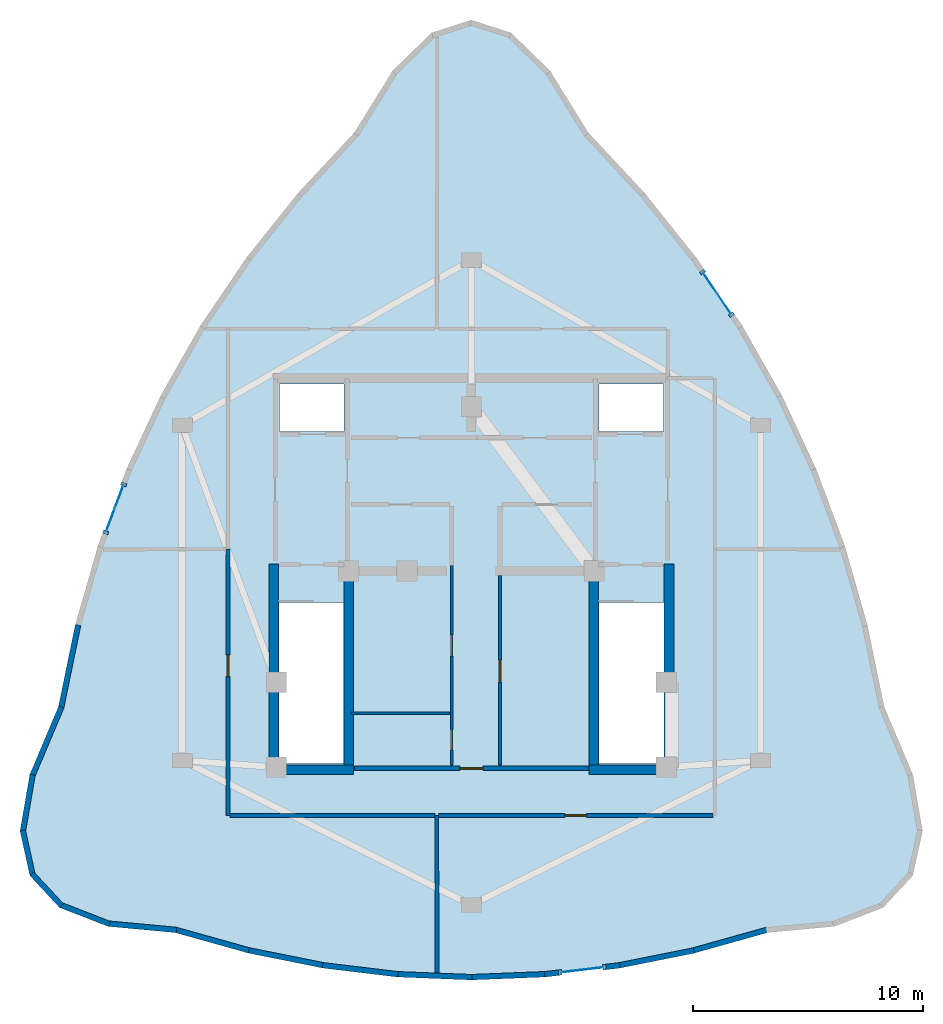
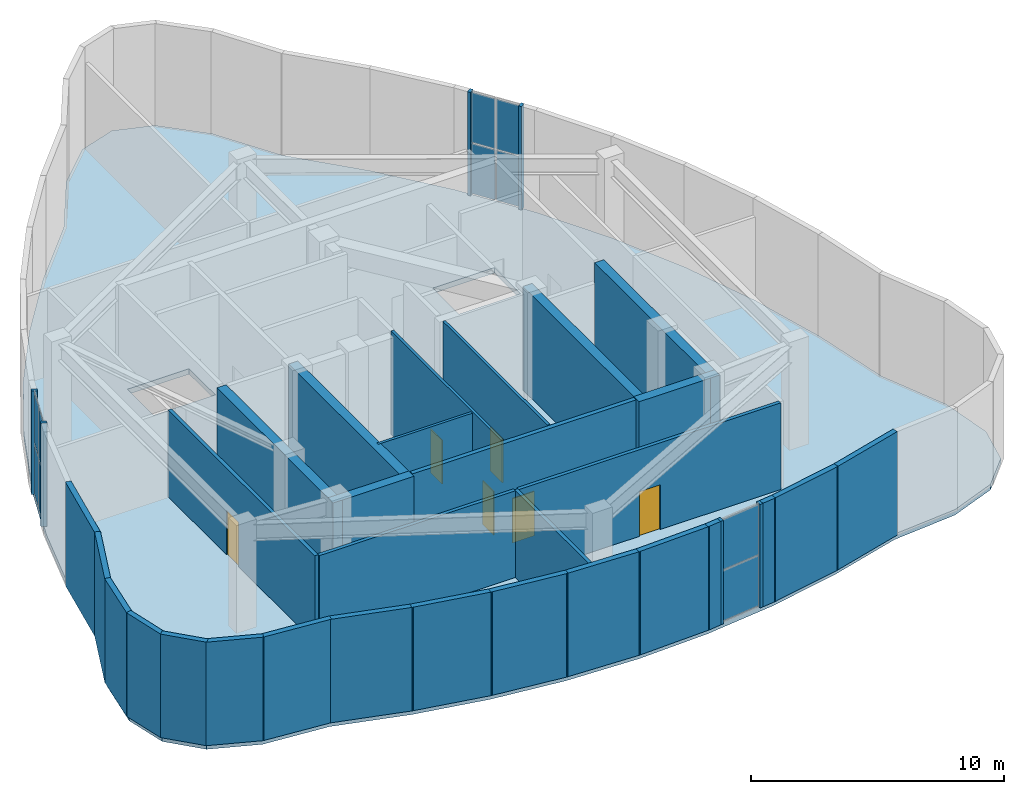
# One storey, part 9 of 12: 30 walls, 16 plates, 6 doors, 1 slab, 6 openings, 3 elements without a shape of their own.
"""IFC4 building model written with IfcOpenShell, lengths in metres."""

import ifcopenshell
import ifcopenshell.guid

model = None  # the IFC model being written
_history = None  # IfcOwnerHistory: only IFC2X3 demands one
_inside = {}  # id of a spatial element -> (the spatial element, [elements in it])
_under = {}  # id of a project, library or spatial element -> (it, [spatial elements below it])
_declared = {}  # id of a project -> (the project, [libraries it declares])
_typed = {}  # id of a type object -> (the type object, [elements of that type])
_made_of = {}  # id of a material, layer set ... -> (it, [elements and type objects made of it])


def new_model(schema):
    """Start an empty IFC model of exactly this schema.

    Asked for "IFC4X3", IfcOpenShell would pick the latest addendum, in which some entities
    have other attributes; the version numbers below select the first issue.
    IFC2X3 requires an IfcOwnerHistory on every rooted entity: one is made here for all.
    """
    global model, _history
    if schema == "IFC4X3":
        model = ifcopenshell.file(schema_version=(4, 3, 0, 0))
    else:
        model = ifcopenshell.file(schema=schema)
    _inside.clear()
    _under.clear()
    _declared.clear()
    _typed.clear()
    _made_of.clear()
    _history = None
    if model.schema == "IFC2X3":
        org = make("IfcOrganization", Name="unknown")
        user = make(
            "IfcPersonAndOrganization",
            ThePerson=make("IfcPerson", FamilyName="unknown"),
            TheOrganization=org,
        )
        app = make(
            "IfcApplication",
            ApplicationDeveloper=org,
            Version="unknown",
            ApplicationFullName="unknown",
            ApplicationIdentifier="unknown",
        )
        _history = make(
            "IfcOwnerHistory",
            OwningUser=user,
            OwningApplication=app,
            ChangeAction="ADDED",
            CreationDate=0,
        )
    return model


def make(cls, **values):
    """One entity of the class cls with the attributes given. An attribute that is None is left unset."""
    return model.create_entity(
        cls, **{name: value for name, value in values.items() if value is not None}
    )


def rooted(cls, **values):
    """An entity with a GlobalId (a new one), such as an element, a storey or a relation."""
    return make(cls, GlobalId=ifcopenshell.guid.new(), OwnerHistory=_history, **values)


def si_unit(unit_type, name, prefix=None):
    """IfcSIUnit, for example si_unit("LENGTHUNIT", "METRE", prefix="MILLI")."""
    return make("IfcSIUnit", UnitType=unit_type, Prefix=prefix, Name=name)


def assignment(units):
    """IfcUnitAssignment: the units of a project."""
    return None if units is None else make("IfcUnitAssignment", Units=units)


def point(xyz):
    """IfcCartesianPoint."""
    return None if xyz is None else make("IfcCartesianPoint", Coordinates=xyz)


def direction(xyz):
    """IfcDirection."""
    return None if xyz is None else make("IfcDirection", DirectionRatios=xyz)


def frame(location, z_axis=None, x_axis=None):
    """IfcAxis2Placement3D, a coordinate frame: its origin and axes. An axis left out is left unset."""
    return make(
        "IfcAxis2Placement3D",
        Location=point(location),
        Axis=direction(z_axis),
        RefDirection=direction(x_axis),
    )


def frame_2d(location, x_axis=None):
    """IfcAxis2Placement2D, a coordinate frame in the plane: its origin and x axis."""
    return make(
        "IfcAxis2Placement2D", Location=point(location), RefDirection=direction(x_axis)
    )


def origin():
    """The frame at (0, 0, 0) with its axes left unset."""
    return frame((0.0, 0.0, 0.0))


def origin_2d():
    """The frame at (0, 0) in the plane with its x axis left unset."""
    return frame_2d((0.0, 0.0))


def place(relative_to, where):
    """IfcLocalPlacement: puts the frame where relative to a parent placement (None: the world)."""
    return make(
        "IfcLocalPlacement", PlacementRelTo=relative_to, RelativePlacement=where
    )


def context(
    kind, dimensions, precision=None, world=None, true_north=None, identifier=None
):
    """IfcGeometricRepresentationContext, for example the 3D "Model" context."""
    return make(
        "IfcGeometricRepresentationContext",
        ContextIdentifier=identifier,
        ContextType=kind,
        CoordinateSpaceDimension=dimensions,
        Precision=precision,
        WorldCoordinateSystem=world,
        TrueNorth=true_north,
    )


def subcontext(parent, identifier, kind, view, scale=None):
    """IfcGeometricRepresentationSubContext, for example "Body" below "Model"."""
    return make(
        "IfcGeometricRepresentationSubContext",
        ContextIdentifier=identifier,
        ContextType=kind,
        ParentContext=parent,
        TargetScale=scale,
        TargetView=view,
    )


def project(units=None, contexts=None):
    """IfcProject with its units and contexts."""
    return rooted(
        "IfcProject",
        Name="project",
        RepresentationContexts=contexts,
        UnitsInContext=assignment(units),
    )


def spatial(cls, under=None, at=None, **own):
    """A site, building, storey or space (cls), placed at a placement, below another one or the project."""
    s = rooted(cls, ObjectPlacement=at, **own)
    if under is not None:
        _under.setdefault(under.id(), (under, []))[1].append(s)
    return s


def polyline(points):
    """IfcPolyline through the points."""
    return make("IfcPolyline", Points=[point(p) for p in points])


def profile(cls, at=None, kind="AREA", **sizes):
    """A parametric profile (cls). Its sizes go by their IFC names, for example OverallWidth=200.0."""
    return make(cls, ProfileType=kind, Position=at, **sizes)


def rectangle(**sizes):
    """IfcRectangleProfileDef."""
    return profile("IfcRectangleProfileDef", **sizes)


def outline(outer, holes=None, kind="AREA"):
    """IfcArbitraryClosedProfileDef: a profile drawn as a closed curve; with holes, ...WithVoids."""
    if holes is None:
        return make("IfcArbitraryClosedProfileDef", ProfileType=kind, OuterCurve=outer)
    return make(
        "IfcArbitraryProfileDefWithVoids",
        ProfileType=kind,
        OuterCurve=outer,
        InnerCurves=holes,
    )


def extrude(swept, where, along, depth):
    """IfcExtrudedAreaSolid: the profile swept, set in the frame where, extruded along a direction by depth."""
    return make(
        "IfcExtrudedAreaSolid",
        SweptArea=swept,
        Position=where,
        ExtrudedDirection=direction(along),
        Depth=depth,
    )


def shape(context_of_items, identifier, shape_type, items):
    """IfcShapeRepresentation: the items that make up one representation, for example the "Body"."""
    return make(
        "IfcShapeRepresentation",
        ContextOfItems=context_of_items,
        RepresentationIdentifier=identifier,
        RepresentationType=shape_type,
        Items=items,
    )


def material(Name=None, Category=None):
    """IfcMaterial."""
    return make("IfcMaterial", Name=Name, Category=Category)


def layer(
    of_material, thickness, ventilated=None, Name=None, Category=None, Priority=None
):
    """IfcMaterialLayer: one layer of a wall or slab, of a material (None: an air gap)."""
    return make(
        "IfcMaterialLayer",
        Material=of_material,
        LayerThickness=thickness,
        IsVentilated=ventilated,
        Name=Name,
        Category=Category,
        Priority=Priority,
    )


def layer_set(layers, Name=None):
    """IfcMaterialLayerSet."""
    return make("IfcMaterialLayerSet", MaterialLayers=layers, LayerSetName=Name)


def made_of(thing, what):
    """Note that an element or type object is made of a material, layer set ...; save() writes the relation."""
    if what is not None:
        _made_of.setdefault(what.id(), (what, []))[1].append(thing)
    return thing


def type_object(cls, material=None, **own):
    """A type object (cls), such as IfcWallType, which elements share."""
    return made_of(rooted(cls, **own), material)


def element(
    cls,
    number,
    at=None,
    inside=None,
    cuts=None,
    type_object=None,
    material=None,
    context=None,
    identifier="Body",
    shape_type=None,
    held_by="IfcProductDefinitionShape",
    body=None,
    shapes=None,
    **own,
):
    """One element of the class cls, such as IfcWall. Its Tag is "e" and its number.

    at: its placement. inside: the storey or other place that contains it. cuts: it is an
    opening in that element (IfcRelVoidsElement). A single representation is given by context,
    identifier, shape_type and body (its items); several are given by shapes. held_by: the class
    of the entity that holds the representations. save() writes the other relations.
    """
    e = rooted(cls, Tag="e%d" % number, ObjectPlacement=at, **own)
    if body is not None:
        shapes = [shape(context, identifier, shape_type, body)]
    if shapes is not None:
        e.Representation = make(held_by, Representations=shapes)
    if inside is not None:
        _inside.setdefault(inside.id(), (inside, []))[1].append(e)
    if cuts is not None:
        rooted(
            "IfcRelVoidsElement", RelatingBuildingElement=cuts, RelatedOpeningElement=e
        )
    if type_object is not None:
        _typed.setdefault(type_object.id(), (type_object, []))[1].append(e)
    return made_of(e, material)


def fill(opening, filler):
    """IfcRelFillsElement: the door or window that sits in an opening."""
    return rooted(
        "IfcRelFillsElement",
        RelatingOpeningElement=opening,
        RelatedBuildingElement=filler,
    )


def aggregate(whole, parts):
    """IfcRelAggregates: a whole, such as a stair, and the parts it consists of."""
    return rooted("IfcRelAggregates", RelatingObject=whole, RelatedObjects=parts)


def save(model, path):
    """Write the relations noted so far, then the file.

    IfcRelAggregates (storeys below a building ...), IfcRelContainedInSpatialStructure (elements
    in a storey), IfcRelDefinesByType, IfcRelAssociatesMaterial and IfcRelDeclares: one each for
    every whole, place, type object, material and project.
    """
    for whole, parts in _under.values():
        aggregate(whole, parts)
    for where, things in _inside.values():
        rooted(
            "IfcRelContainedInSpatialStructure",
            RelatedElements=things,
            RelatingStructure=where,
        )
    for kind, things in _typed.values():
        rooted("IfcRelDefinesByType", RelatedObjects=things, RelatingType=kind)
    for what, things in _made_of.values():
        rooted("IfcRelAssociatesMaterial", RelatedObjects=things, RelatingMaterial=what)
    for by, libraries in _declared.values():
        rooted("IfcRelDeclares", RelatingContext=by, RelatedDefinitions=libraries)
    model.write(path)


model = new_model("IFC4")

# Units and contexts
model_context = context("Model", 3, precision=1e-05, world=origin(), true_north=direction((0.0, 1.0)))
body_context = subcontext(model_context, "Body", "Model", "MODEL_VIEW")
ifc_project = project(units=[si_unit("LENGTHUNIT", "METRE"), si_unit("AREAUNIT", "SQUARE_METRE"), si_unit("VOLUMEUNIT", "CUBIC_METRE"), si_unit("PLANEANGLEUNIT", "RADIAN"), si_unit("MASSUNIT", "GRAM", prefix="KILO")], contexts=[model_context])

# Site, building, storey
site_placement = place(None, origin())
site = spatial("IfcSite", under=ifc_project, at=site_placement, CompositionType="ELEMENT")
building_placement = place(site_placement, origin())
building = spatial("IfcBuilding", under=site, at=building_placement, Name="Miruveldt Soraemaru", CompositionType="ELEMENT")
storey_placement = place(building_placement, frame((0.0, 0.0, 312.800048828125)))
storey = spatial("IfcBuildingStorey", under=building, at=storey_placement, Name="L82", CompositionType="ELEMENT", Elevation=312.800048828125)

# Curtain wall, plates
ifc_material_1 = material(Name="Anodised aluminium EN AW-6063 T6", Category="aluminium")
ifc_layer_1 = layer(ifc_material_1, 0.14990234375, Name="Anodised aluminium EN AW-6063 T6", Category="aluminium")
ifc_layer_set_1 = layer_set([ifc_layer_1], Name="Anodised aluminium EN AW-6063 T6")
curtain_wall_type = type_object("IfcCurtainWallType", Name="CW-SYS-6", PredefinedType="USERDEFINED", material=ifc_layer_set_1)
curtain_wall_1_placement = place(storey_placement, origin())
curtain_wall_1 = element("IfcCurtainWall", 1, at=curtain_wall_1_placement, inside=storey, type_object=curtain_wall_type, Name="L82 Curtain Wall Bay 12", ObjectType="UNITISED GLAZING", PredefinedType="USERDEFINED")
ifc_material_2 = material(Name="Triple low-e insulated glazing", Category="glass")
ifc_layer_2 = layer(ifc_material_2, 0.02392578125, Name="Triple low-e insulated glazing", Category="glass")
ifc_layer_set_2 = layer_set([ifc_layer_2], Name="Triple low-e insulated glazing")
plate_type_1 = type_object("IfcPlateType", Name="CWP-6", PredefinedType="CURTAIN_PANEL", material=ifc_layer_set_2)
plate_1_placement = place(storey_placement, frame((28.6572265625, 47.2880859375, 0.054931640625), z_axis=(0.0, 0.0, 1.0), x_axis=(-0.348998282518, -0.937123363704, 0.0)))
plate_1 = element("IfcPlate", 2, at=plate_1_placement, type_object=plate_type_1, Name="CW-6 panel 1.1", PredefinedType="CURTAIN_PANEL", context=body_context, shape_type="SweptSolid", body=[
    extrude(rectangle(XDim=1.037109375, YDim=0.02392578125, at=origin_2d()), origin(), (0.0, 0.0, 1.0), 2.41259765625),
])
plate_2_placement = place(storey_placement, frame((28.6572265625, 47.2880859375, 2.5224609375), z_axis=(0.0, 0.0, 1.0), x_axis=(-0.348998282518, -0.937123363704, 0.0)))
plate_2 = element("IfcPlate", 3, at=plate_2_placement, type_object=plate_type_1, Name="CW-6 panel 1.2", PredefinedType="CURTAIN_PANEL", context=body_context, shape_type="SweptSolid", body=[
    extrude(rectangle(XDim=1.037109375, YDim=0.02392578125, at=origin_2d()), origin(), (0.0, 0.0, 1.0), 2.41259765625),
])
plate_3_placement = place(storey_placement, frame((28.276123046875, 46.2646484375, 0.054931640625), z_axis=(0.0, 0.0, 1.0), x_axis=(-0.348998282518, -0.937123363704, 0.0)))
plate_3 = element("IfcPlate", 4, at=plate_3_placement, type_object=plate_type_1, Name="CW-6 panel 2.1", PredefinedType="CURTAIN_PANEL", context=body_context, shape_type="SweptSolid", body=[
    extrude(rectangle(XDim=1.037109375, YDim=0.02392578125, at=origin_2d()), origin(), (0.0, 0.0, 1.0), 2.41259765625),
])
plate_4_placement = place(storey_placement, frame((28.276123046875, 46.2646484375, 2.5224609375), z_axis=(0.0, 0.0, 1.0), x_axis=(-0.348998282518, -0.937123363704, 0.0)))
plate_4 = element("IfcPlate", 5, at=plate_4_placement, type_object=plate_type_1, Name="CW-6 panel 2.2", PredefinedType="CURTAIN_PANEL", context=body_context, shape_type="SweptSolid", body=[
    extrude(rectangle(XDim=1.037109375, YDim=0.02392578125, at=origin_2d()), origin(), (0.0, 0.0, 1.0), 2.41259765625),
])
aggregate(curtain_wall_1, [plate_1, plate_2, plate_3, plate_4])

curtain_wall_2_placement = place(storey_placement, origin())
curtain_wall_2 = element("IfcCurtainWall", 6, at=curtain_wall_2_placement, inside=storey, type_object=curtain_wall_type, Name="L82 Curtain Wall Bay 26", ObjectType="UNITISED GLAZING", PredefinedType="USERDEFINED")
plate_5_placement = place(storey_placement, frame((48.830322265625, 26.677001953125, 0.054931640625), z_axis=(0.0, 0.0, 1.0), x_axis=(0.992876351396, 0.11914927964, 0.0)))
plate_5 = element("IfcPlate", 7, at=plate_5_placement, type_object=plate_type_1, Name="CW-6 panel 1.1", PredefinedType="CURTAIN_PANEL", context=body_context, shape_type="SweptSolid", body=[
    extrude(rectangle(XDim=1.8330078125, YDim=0.02392578125, at=origin_2d()), origin(), (0.0, 0.0, 1.0), 2.41259765625),
])
plate_6_placement = place(storey_placement, frame((48.830322265625, 26.677001953125, 2.5224609375), z_axis=(0.0, 0.0, 1.0), x_axis=(0.992876351396, 0.11914927964, 0.0)))
plate_6 = element("IfcPlate", 8, at=plate_6_placement, type_object=plate_type_1, Name="CW-6 panel 1.2", PredefinedType="CURTAIN_PANEL", context=body_context, shape_type="SweptSolid", body=[
    extrude(rectangle(XDim=1.8330078125, YDim=0.02392578125, at=origin_2d()), origin(), (0.0, 0.0, 1.0), 2.41259765625),
])
aggregate(curtain_wall_2, [plate_5, plate_6])

curtain_wall_3_placement = place(storey_placement, origin())
curtain_wall_3 = element("IfcCurtainWall", 9, at=curtain_wall_3_placement, inside=storey, type_object=curtain_wall_type, Name="L82 Curtain Wall Bay 40", ObjectType="UNITISED GLAZING", PredefinedType="USERDEFINED")
plate_7_placement = place(storey_placement, frame((55.00927734375, 55.694580078125, 0.054931640625), z_axis=(0.0, 0.0, 1.0), x_axis=(-0.56083826948, 0.827925380385, 0.0)))
plate_7 = element("IfcPlate", 10, at=plate_7_placement, type_object=plate_type_1, Name="CW-6 panel 1.1", PredefinedType="CURTAIN_PANEL", context=body_context, shape_type="SweptSolid", body=[
    extrude(rectangle(XDim=1.036865234375, YDim=0.02392578125, at=origin_2d()), origin(), (0.0, 0.0, 1.0), 2.41259765625),
])
plate_8_placement = place(storey_placement, frame((55.00927734375, 55.694580078125, 2.5224609375), z_axis=(0.0, 0.0, 1.0), x_axis=(-0.56083826948, 0.827925380385, 0.0)))
plate_8 = element("IfcPlate", 11, at=plate_8_placement, type_object=plate_type_1, Name="CW-6 panel 1.2", PredefinedType="CURTAIN_PANEL", context=body_context, shape_type="SweptSolid", body=[
    extrude(rectangle(XDim=1.036865234375, YDim=0.02392578125, at=origin_2d()), origin(), (0.0, 0.0, 1.0), 2.41259765625),
])
plate_9_placement = place(storey_placement, frame((54.396728515625, 56.5986328125, 0.054931640625), z_axis=(0.0, 0.0, 1.0), x_axis=(-0.56083826948, 0.827925380385, 0.0)))
plate_9 = element("IfcPlate", 12, at=plate_9_placement, type_object=plate_type_1, Name="CW-6 panel 2.1", PredefinedType="CURTAIN_PANEL", context=body_context, shape_type="SweptSolid", body=[
    extrude(rectangle(XDim=1.036865234375, YDim=0.02392578125, at=origin_2d()), origin(), (0.0, 0.0, 1.0), 2.41259765625),
])
plate_10_placement = place(storey_placement, frame((54.396728515625, 56.5986328125, 2.5224609375), z_axis=(0.0, 0.0, 1.0), x_axis=(-0.56083826948, 0.827925380385, 0.0)))
plate_10 = element("IfcPlate", 13, at=plate_10_placement, type_object=plate_type_1, Name="CW-6 panel 2.2", PredefinedType="CURTAIN_PANEL", context=body_context, shape_type="SweptSolid", body=[
    extrude(rectangle(XDim=1.036865234375, YDim=0.02392578125, at=origin_2d()), origin(), (0.0, 0.0, 1.0), 2.41259765625),
])
aggregate(curtain_wall_3, [plate_7, plate_8, plate_9, plate_10])

# Plates
ifc_layer_3 = layer(ifc_material_1, 0.030029296875, Name="Anodised aluminium EN AW-6063 T6", Category="aluminium")
ifc_layer_set_3 = layer_set([ifc_layer_3], Name="Anodised aluminium EN AW-6063 T6")
plate_type_2 = type_object("IfcPlateType", Name="PLT-JAMB-30", PredefinedType="SHEET", material=ifc_layer_set_3)
for number, where, z_axis, x_axis, name in (
    (14, (28.857421875, 47.825439453125, 0.0), (0.0, 0.0, 1.0), (-0.349030048069, -0.93711153314, 0.0), "L82 Curtain Wall Jamb Closure Trim 12JL"),
    (15, (28.075927734375, 45.727294921875, 0.0), (0.0, 0.0, 1.0), (-0.349030048069, -0.93711153314, 0.0), "L82 Curtain Wall Jamb Closure Trim 12JR"),
    (16, (47.86572265625, 26.561279296875, 0.0), (0.0, 0.0, 1.0), (0.9928742876, 0.119166476087, 0.0), "L82 Curtain Wall Jamb Closure Trim 26JL"),
    (17, (49.794921875, 26.792724609375, 0.0), (0.0, 0.0, 1.0), (0.9928742876, 0.119166476087, 0.0), "L82 Curtain Wall Jamb Closure Trim 26JR"),
    (18, (55.330810546875, 55.2197265625, 0.0), (0.0, 0.0, 1.0), (-0.560855761037, 0.827913531301, 0.0), "L82 Curtain Wall Jamb Closure Trim 40JL"),
    (19, (54.0751953125, 57.073486328125, 0.0), (0.0, 0.0, 1.0), (-0.560855761037, 0.827913531301, 0.0), "L82 Curtain Wall Jamb Closure Trim 40JR"),
):
    element("IfcPlate", number, at=place(storey_placement, frame(where, z_axis=z_axis, x_axis=x_axis)), inside=storey, type_object=plate_type_2, Name=name, PredefinedType="SHEET", context=body_context, shape_type="SweptSolid", body=[
        extrude(rectangle(XDim=0.139892578125, YDim=0.239990234375, at=origin_2d()), origin(), (0.0, 0.0, 1.0), 4.989990234375),
    ])

# Slab
ifc_material_3 = material(Name="Concrete C40/50 (40 MPa)", Category="concrete")
ifc_layer_4 = layer(ifc_material_3, 0.260009765625, Name="Concrete C40/50 (40 MPa)", Category="concrete")
ifc_layer_set_4 = layer_set([ifc_layer_4], Name="Concrete C40/50 (40 MPa)")
slab_type = type_object("IfcSlabType", Name="SLAB-CRWN-260", PredefinedType="FLOOR", material=ifc_layer_set_4)
slab_placement = place(storey_placement, frame((0.0, 0.0, -0.260009765625)))
element("IfcSlab", 20, at=slab_placement, inside=storey, type_object=slab_type, Name="L82 Structural Floor Slab", PredefinedType="FLOOR", context=body_context, shape_type="SweptSolid", body=[
    extrude(outline(polyline([(51.4755859375, 60.413330078125), (53.71044921875, 57.61181640625), (55.695556640625, 54.681640625), (57.4306640625, 51.62255859375), (58.915771484375, 48.4345703125), (60.151123046875, 45.117919921875), (61.136474609375, 41.67236328125), (61.8720703125, 38.097900390625), (63.119873046875, 35.1396484375), (63.53564453125, 32.718994140625), (63.119873046875, 30.83642578125), (61.8720703125, 29.49169921875), (59.79248046875, 28.684814453125), (56.881103515625, 28.416015625), (53.660888671875, 27.514404296875), (50.4404296875, 26.870361328125), (47.22021484375, 26.48388671875), (44.0, 26.35498046875), (40.77978515625, 26.48388671875), (37.5595703125, 26.870361328125), (34.339111328125, 27.514404296875), (31.118896484375, 28.416015625), (28.20751953125, 28.684814453125), (26.1279296875, 29.49169921875), (24.880126953125, 30.83642578125), (24.46435546875, 32.718994140625), (24.880126953125, 35.1396484375), (26.1279296875, 38.097900390625), (26.863525390625, 41.67236328125), (27.848876953125, 45.117919921875), (29.084228515625, 48.4345703125), (30.5693359375, 51.62255859375), (32.304443359375, 54.681640625), (34.28955078125, 57.61181640625), (36.5244140625, 60.413330078125), (39.009033203125, 63.0859375), (40.672607421875, 65.775390625), (42.336181640625, 67.38916015625), (44.0, 67.927001953125), (45.663818359375, 67.38916015625), (47.327392578125, 65.775390625), (48.990966796875, 63.0859375), (51.4755859375, 60.413330078125)]), holes=[polyline([(38.43505859375, 35.6650390625), (38.43505859375, 42.68505859375), (35.614990234375, 42.68505859375), (35.614990234375, 35.6650390625), (38.43505859375, 35.6650390625)]), polyline([(52.385009765625, 35.6650390625), (52.385009765625, 42.68505859375), (49.56494140625, 42.68505859375), (49.56494140625, 35.6650390625), (52.385009765625, 35.6650390625)]), polyline([(38.445068359375, 52.205078125), (35.635009765625, 52.205078125), (35.635009765625, 50.135009765625), (38.445068359375, 50.135009765625), (38.445068359375, 52.205078125)]), polyline([(52.364990234375, 52.205078125), (49.554931640625, 52.205078125), (49.554931640625, 50.135009765625), (52.364990234375, 50.135009765625), (52.364990234375, 52.205078125)])]), origin(), (0.0, 0.0, 1.0), 0.260009765625),
])

# Walls
ifc_material_4 = material(Name="Concrete C50/60 (50 MPa)", Category="concrete")
ifc_layer_5 = layer(ifc_material_4, 0.419921875, Name="Concrete C50/60 (50 MPa)", Category="concrete")
ifc_layer_set_5 = layer_set([ifc_layer_5], Name="Concrete C50/60 (50 MPa)")
wall_type_1 = type_object("IfcWallType", Name="WALL-CW-420", PredefinedType="SHEAR", material=ifc_layer_set_5)
for number, where, z_axis, x_axis, name in (
    (21, (35.179931640625, 35.389892578125, 0.0), (0.0, 0.0, 1.0), (1.0, 0.0, 0.0), "L82 Central Core Shear Wall S1"),
    (22, (49.1298828125, 35.389892578125, 0.0), (0.0, 0.0, 1.0), (1.0, 0.0, 0.0), "L82 Central Core Shear Wall S2"),
):
    element("IfcWall", number, at=place(storey_placement, frame(where, z_axis=z_axis, x_axis=x_axis)), inside=storey, type_object=wall_type_1, Name=name, PredefinedType="SHEAR", context=body_context, shape_type="SweptSolid", body=[
        extrude(rectangle(XDim=3.690185546875, YDim=0.419921875, at=frame_2d((1.84521484375, 0.0))), origin(), (0.0, 0.0, 1.0), 4.989990234375),
    ])
for number, where, z_axis, x_axis, name in (
    (23, (35.389892578125, 35.179931640625, 0.0), (0.0, 0.0, 1.0), (0.0, 1.0, 0.0), "L82 Central Core Shear Wall W1"),
    (24, (52.610107421875, 35.179931640625, 0.0), (0.0, 0.0, 1.0), (0.0, 1.0, 0.0), "L82 Central Core Shear Wall E1"),
):
    element("IfcWall", number, at=place(storey_placement, frame(where, z_axis=z_axis, x_axis=x_axis)), inside=storey, type_object=wall_type_1, Name=name, PredefinedType="SHEAR", context=body_context, shape_type="SweptSolid", body=[
        extrude(rectangle(XDim=9.170166015625, YDim=0.419921875, at=frame_2d((4.5849609375, 0.0))), origin(), (0.0, 0.0, 1.0), 4.989990234375),
    ])
for number, where, z_axis, x_axis, name in (
    (25, (38.659912109375, 35.39990234375, 0.0), (0.0, 0.0, 1.0), (0.0, 1.0, 0.0), "L82 Central Core Shear Wall SW-INT"),
    (26, (49.340087890625, 35.39990234375, 0.0), (0.0, 0.0, 1.0), (0.0, 1.0, 0.0), "L82 Central Core Shear Wall SE-INT"),
):
    element("IfcWall", number, at=place(storey_placement, frame(where, z_axis=z_axis, x_axis=x_axis)), inside=storey, type_object=wall_type_1, Name=name, PredefinedType="SHEAR", context=body_context, shape_type="SweptSolid", body=[
        extrude(rectangle(XDim=8.9501953125, YDim=0.419921875, at=frame_2d((4.47509765625, 0.0))), origin(), (0.0, 0.0, 1.0), 4.989990234375),
    ])
ifc_material_5 = material(Name="Precast concrete C45/55 (45 MPa)", Category="concrete")
ifc_layer_6 = layer(ifc_material_5, 0.239990234375, Name="Precast concrete C45/55 (45 MPa)", Category="concrete")
ifc_layer_set_6 = layer_set([ifc_layer_6], Name="Precast concrete C45/55 (45 MPa)")
wall_type_2 = type_object("IfcWallType", Name="WALL-EXT-PC240", PredefinedType="SOLIDWALL", material=ifc_layer_set_6)
wall_1_placement = place(storey_placement, frame((26.87060546875, 41.706787109375, 0.0), z_axis=(0.0, 0.0, 1.0), x_axis=(-0.201578837363, -0.979472292782, 0.0)))
element("IfcWall", 27, at=wall_1_placement, inside=storey, type_object=wall_type_2, Name="L82 Precast Concrete Facade Wall 14", PredefinedType="SOLIDWALL", context=body_context, shape_type="SweptSolid", body=[
    extrude(rectangle(XDim=3.719482421875, YDim=0.239990234375, at=frame_2d((1.85986328125, 0.0))), origin(), (0.0, 0.0, 1.0), 4.989990234375),
])
wall_2_placement = place(storey_placement, frame((26.1416015625, 38.130126953125, 0.0), z_axis=(0.0, 0.0, 1.0), x_axis=(-0.388622520849, -0.921397056805, 0.0)))
element("IfcWall", 28, at=wall_2_placement, inside=storey, type_object=wall_type_2, Name="L82 Precast Concrete Facade Wall 15", PredefinedType="SOLIDWALL", context=body_context, shape_type="SweptSolid", body=[
    extrude(rectangle(XDim=3.280517578125, YDim=0.239990234375, at=frame_2d((1.64013671875, 0.0))), origin(), (0.0, 0.0, 1.0), 4.989990234375),
])
wall_3_placement = place(storey_placement, frame((24.885986328125, 35.174072265625, 0.0), z_axis=(0.0, 0.0, 1.0), x_axis=(-0.169240125324, -0.985574847477, 0.0)))
element("IfcWall", 29, at=wall_3_placement, inside=storey, type_object=wall_type_2, Name="L82 Precast Concrete Facade Wall 16", PredefinedType="SOLIDWALL", context=body_context, shape_type="SweptSolid", body=[
    extrude(rectangle(XDim=2.52587890625, YDim=0.239990234375, at=frame_2d((1.262939453125, 0.0))), origin(), (0.0, 0.0, 1.0), 4.989990234375),
])
wall_4_placement = place(storey_placement, frame((24.456787109375, 32.75341796875, 0.0), z_axis=(0.0, 0.0, 1.0), x_axis=(0.215649526387, -0.976470829963, 0.0)))
element("IfcWall", 30, at=wall_4_placement, inside=storey, type_object=wall_type_2, Name="L82 Precast Concrete Facade Wall 17", PredefinedType="SOLIDWALL", context=body_context, shape_type="SweptSolid", body=[
    extrude(rectangle(XDim=1.998291015625, YDim=0.239990234375, at=frame_2d((0.9990234375, 0.0))), origin(), (0.0, 0.0, 1.0), 4.989990234375),
])
wall_5_placement = place(storey_placement, frame((24.8564453125, 30.8623046875, 0.0), z_axis=(0.0, 0.0, 1.0), x_axis=(0.680072395428, -0.733144963139, 0.0)))
element("IfcWall", 31, at=wall_5_placement, inside=storey, type_object=wall_type_2, Name="L82 Precast Concrete Facade Wall 18", PredefinedType="SOLIDWALL", context=body_context, shape_type="SweptSolid", body=[
    extrude(rectangle(XDim=1.904541015625, YDim=0.239990234375, at=frame_2d((0.9521484375, 0.0))), origin(), (0.0, 0.0, 1.0), 4.989990234375),
])
wall_6_placement = place(storey_placement, frame((26.09521484375, 29.50439453125, 0.0), z_axis=(0.0, 0.0, 1.0), x_axis=(0.932269297358, -0.361765058019, 0.0)))
element("IfcWall", 32, at=wall_6_placement, inside=storey, type_object=wall_type_2, Name="L82 Precast Concrete Facade Wall 19", PredefinedType="SOLIDWALL", context=body_context, shape_type="SweptSolid", body=[
    extrude(rectangle(XDim=2.300537109375, YDim=0.239990234375, at=frame_2d((1.150390625, 0.0))), origin(), (0.0, 0.0, 1.0), 4.989990234375),
])
wall_7_placement = place(storey_placement, frame((28.172607421875, 28.68798828125, 0.0), z_axis=(0.0, 0.0, 1.0), x_axis=(0.995767942029, -0.091903240575, 0.0)))
element("IfcWall", 33, at=wall_7_placement, inside=storey, type_object=wall_type_2, Name="L82 Precast Concrete Facade Wall 20", PredefinedType="SOLIDWALL", context=body_context, shape_type="SweptSolid", body=[
    extrude(rectangle(XDim=2.993896484375, YDim=0.239990234375, at=frame_2d((1.4970703125, 0.0))), origin(), (0.0, 0.0, 1.0), 4.989990234375),
])
wall_8_placement = place(storey_placement, frame((31.085205078125, 28.42529296875, 0.0), z_axis=(0.0, 0.0, 1.0), x_axis=(0.962972931592, -0.269598095359, 0.0)))
element("IfcWall", 34, at=wall_8_placement, inside=storey, type_object=wall_type_2, Name="L82 Precast Concrete Facade Wall 21", PredefinedType="SOLIDWALL", context=body_context, shape_type="SweptSolid", body=[
    extrude(rectangle(XDim=3.4140625, YDim=0.239990234375, at=frame_2d((1.70703125, 0.0))), origin(), (0.0, 0.0, 1.0), 4.989990234375),
])
wall_9_placement = place(storey_placement, frame((34.304931640625, 27.521240234375, 0.0), z_axis=(0.0, 0.0, 1.0), x_axis=(0.980569475455, -0.196172128005, 0.0)))
element("IfcWall", 35, at=wall_9_placement, inside=storey, type_object=wall_type_2, Name="L82 Precast Concrete Facade Wall 22", PredefinedType="SOLIDWALL", context=body_context, shape_type="SweptSolid", body=[
    extrude(rectangle(XDim=3.35400390625, YDim=0.239990234375, at=frame_2d((1.677001953125, 0.0))), origin(), (0.0, 0.0, 1.0), 4.989990234375),
])
wall_10_placement = place(storey_placement, frame((37.524658203125, 26.87451171875, 0.0), z_axis=(0.0, 0.0, 1.0), x_axis=(0.992868119477, -0.119217856572, 0.0)))
element("IfcWall", 36, at=wall_10_placement, inside=storey, type_object=wall_type_2, Name="L82 Precast Concrete Facade Wall 23", PredefinedType="SOLIDWALL", context=body_context, shape_type="SweptSolid", body=[
    extrude(rectangle(XDim=3.3134765625, YDim=0.239990234375, at=frame_2d((1.65673828125, 0.0))), origin(), (0.0, 0.0, 1.0), 4.989990234375),
])
for number, where, z_axis, x_axis, name in (
    (37, (40.74462890625, 26.485107421875, 0.0), (0.0, 0.0, 1.0), (0.999201195577, -0.039962116526, 0.0), "L82 Precast Concrete Facade Wall 24"),
    (38, (43.965087890625, 26.353515625, 0.0), (0.0, 0.0, 1.0), (0.999201195577, 0.039962116526, 0.0), "L82 Precast Concrete Facade Wall 25"),
):
    element("IfcWall", number, at=place(storey_placement, frame(where, z_axis=z_axis, x_axis=x_axis)), inside=storey, type_object=wall_type_2, Name=name, PredefinedType="SOLIDWALL", context=body_context, shape_type="SweptSolid", body=[
        extrude(rectangle(XDim=3.29296875, YDim=0.239990234375, at=frame_2d((1.646484375, 0.0))), origin(), (0.0, 0.0, 1.0), 4.989990234375),
    ])
wall_11_placement = place(storey_placement, frame((47.185546875, 26.4794921875, 0.0), z_axis=(0.0, 0.0, 1.0), x_axis=(0.992837457138, 0.119472941302, 0.0)))
element("IfcWall", 39, at=wall_11_placement, inside=storey, type_object=wall_type_2, Name="L82 Precast Pier Left 26", PredefinedType="SOLIDWALL", context=body_context, shape_type="SweptSolid", body=[
    extrude(rectangle(XDim=0.705078125, YDim=0.239990234375, at=frame_2d((0.3525390625, 0.0))), origin(), (0.0, 0.0, 1.0), 4.989990234375),
])
wall_12_placement = place(storey_placement, frame((49.77490234375, 26.790283203125, 0.0), z_axis=(0.0, 0.0, 1.0), x_axis=(0.992847332927, 0.119390843451, 0.0)))
element("IfcWall", 40, at=wall_12_placement, inside=storey, type_object=wall_type_2, Name="L82 Precast Pier Right 26", PredefinedType="SOLIDWALL", context=body_context, shape_type="SweptSolid", body=[
    extrude(rectangle(XDim=0.70556640625, YDim=0.239990234375, at=frame_2d((0.352783203125, 0.0))), origin(), (0.0, 0.0, 1.0), 4.989990234375),
])
wall_13_placement = place(storey_placement, frame((50.40625, 26.86328125, 0.0), z_axis=(0.0, 0.0, 1.0), x_axis=(0.980569475455, 0.196172128005, 0.0)))
element("IfcWall", 41, at=wall_13_placement, inside=storey, type_object=wall_type_2, Name="L82 Precast Concrete Facade Wall 27", PredefinedType="SOLIDWALL", context=body_context, shape_type="SweptSolid", body=[
    extrude(rectangle(XDim=3.35400390625, YDim=0.239990234375, at=frame_2d((1.677001953125, 0.0))), origin(), (0.0, 0.0, 1.0), 4.989990234375),
])
wall_14_placement = place(storey_placement, frame((53.627197265625, 27.5048828125, 0.0), z_axis=(0.0, 0.0, 1.0), x_axis=(0.962972931592, 0.269598095359, 0.0)))
element("IfcWall", 42, at=wall_14_placement, inside=storey, type_object=wall_type_2, Name="L82 Precast Concrete Facade Wall 28", PredefinedType="SOLIDWALL", context=body_context, shape_type="SweptSolid", body=[
    extrude(rectangle(XDim=3.4140625, YDim=0.239990234375, at=frame_2d((1.70703125, 0.0))), origin(), (0.0, 0.0, 1.0), 4.989990234375),
])

# Wall, openings, doors
ifc_material_6 = material(Name="Gypsum plasterboard lining", Category="gypsum")
ifc_layer_7 = layer(ifc_material_6, 0.1201171875, Name="Gypsum plasterboard lining", Category="gypsum")
ifc_layer_set_7 = layer_set([ifc_layer_7], Name="Gypsum plasterboard lining")
wall_type_3 = type_object("IfcWallType", Name="WALL-INT-P120", PredefinedType="PARTITIONING", material=ifc_layer_set_7)
wall_15_placement = place(storey_placement, frame((43.14990234375, 35.60009765625, 0.0), z_axis=(0.0, 0.0, 1.0), x_axis=(0.0, 1.0, 0.0)))
wall_15 = element("IfcWall", 43, at=wall_15_placement, inside=storey, type_object=wall_type_3, Name="L82 Core Compartment Wall SP-WL", PredefinedType="PARTITIONING", context=body_context, shape_type="SweptSolid", body=[
    extrude(rectangle(XDim=8.699951171875, YDim=0.1201171875, at=frame_2d((4.35009765625, 0.0))), origin(), (0.0, 0.0, 1.0), 4.989990234375),
])
opening_1_placement = place(wall_15_placement, frame((0.659912109375, 0.0, 0.0)))
opening_1 = element("IfcOpeningElement", 44, at=opening_1_placement, cuts=wall_15, Name="Opening D4", PredefinedType="OPENING", context=body_context, shape_type="SweptSolid", body=[
    extrude(rectangle(XDim=0.8798828125, YDim=2.10009765625, at=frame_2d((0.43994140625, 1.050048828125))), frame((0.0, 0.070068359375, 0.0), z_axis=(0.0, -1.0, 0.0), x_axis=(1.0, 0.0, 0.0)), (0.0, 0.0, 1.0), 0.14013671875),
])
opening_2_placement = place(wall_15_placement, frame((4.739990234375, 0.0, 0.0)))
opening_2 = element("IfcOpeningElement", 45, at=opening_2_placement, cuts=wall_15, Name="Opening D3A", PredefinedType="OPENING", context=body_context, shape_type="SweptSolid", body=[
    extrude(rectangle(XDim=0.919921875, YDim=2.10009765625, at=frame_2d((0.4599609375, 1.050048828125))), frame((0.0, 0.070068359375, 0.0), z_axis=(0.0, -1.0, 0.0), x_axis=(1.0, 0.0, 0.0)), (0.0, 0.0, 1.0), 0.14013671875),
])
door_type_1 = type_object("IfcDoorType", Name="DOOR-INT-880", OperationType="NOTDEFINED", PredefinedType="DOOR", material=ifc_material_1)
door_1_placement = place(opening_1_placement, origin())
door_1 = element("IfcDoor", 46, at=door_1_placement, inside=storey, type_object=door_type_1, Name="L82 Fire Door", OperationType="SINGLE_SWING_LEFT", OverallHeight=2.10009765625, OverallWidth=0.8798828125, PredefinedType="DOOR", context=body_context, shape_type="SweptSolid", body=[
    extrude(rectangle(XDim=0.8798828125, YDim=2.10009765625, at=frame_2d((0.43994140625, 1.050048828125))), frame((0.0, 0.02490234375, 0.0), z_axis=(0.0, -1.0, 0.0), x_axis=(1.0, 0.0, 0.0)), (0.0, 0.0, 1.0), 0.050048828125),
])
fill(opening_1, door_1)
door_type_2 = type_object("IfcDoorType", Name="DOOR-INT-920", OperationType="NOTDEFINED", PredefinedType="DOOR", material=ifc_material_1)
door_2_placement = place(opening_2_placement, origin())
door_2 = element("IfcDoor", 47, at=door_2_placement, inside=storey, type_object=door_type_2, Name="L82 Fire Door", OperationType="SINGLE_SWING_LEFT", OverallHeight=2.10009765625, OverallWidth=0.919921875, PredefinedType="DOOR", context=body_context, shape_type="SweptSolid", body=[
    extrude(rectangle(XDim=0.919921875, YDim=2.10009765625, at=frame_2d((0.4599609375, 1.050048828125))), frame((0.0, 0.02490234375, 0.0), z_axis=(0.0, -1.0, 0.0), x_axis=(1.0, 0.0, 0.0)), (0.0, 0.0, 1.0), 0.050048828125),
])
fill(opening_2, door_2)

# Wall, opening, door
wall_16_placement = place(storey_placement, frame((45.25, 35.60009765625, 0.0), z_axis=(0.0, 0.0, 1.0), x_axis=(0.0, 1.0, 0.0)))
wall_16 = element("IfcWall", 48, at=wall_16_placement, inside=storey, type_object=wall_type_3, Name="L82 Core Compartment Wall SP-EL", PredefinedType="PARTITIONING", context=body_context, shape_type="SweptSolid", body=[
    extrude(rectangle(XDim=8.25, YDim=0.1201171875, at=frame_2d((4.125, 0.0))), origin(), (0.0, 0.0, 1.0), 4.989990234375),
])
opening_3_placement = place(wall_16_placement, frame((3.625, 0.0, 0.0)))
opening_3 = element("IfcOpeningElement", 49, at=opening_3_placement, cuts=wall_16, Name="Opening D2", PredefinedType="OPENING", context=body_context, shape_type="SweptSolid", body=[
    extrude(rectangle(XDim=0.949951171875, YDim=2.10009765625, at=frame_2d((0.47509765625, 1.050048828125))), frame((0.0, 0.070068359375, 0.0), z_axis=(0.0, -1.0, 0.0), x_axis=(1.0, 0.0, 0.0)), (0.0, 0.0, 1.0), 0.14013671875),
])
door_type_3 = type_object("IfcDoorType", Name="DOOR-INT-950", OperationType="NOTDEFINED", PredefinedType="DOOR", material=ifc_material_1)
door_3_placement = place(opening_3_placement, origin())
door_3 = element("IfcDoor", 50, at=door_3_placement, inside=storey, type_object=door_type_3, Name="L82 Fire Door", OperationType="SINGLE_SWING_LEFT", OverallHeight=2.10009765625, OverallWidth=0.949951171875, PredefinedType="DOOR", context=body_context, shape_type="SweptSolid", body=[
    extrude(rectangle(XDim=0.949951171875, YDim=2.10009765625, at=frame_2d((0.47509765625, 1.050048828125))), frame((0.0, 0.02490234375, 0.0), z_axis=(0.0, -1.0, 0.0), x_axis=(1.0, 0.0, 0.0)), (0.0, 0.0, 1.0), 0.050048828125),
])
fill(opening_3, door_3)

# Wall
wall_17_placement = place(storey_placement, frame((38.75, 37.85009765625, 0.0), z_axis=(0.0, 0.0, 1.0), x_axis=(1.0, 0.0, 0.0)))
element("IfcWall", 51, at=wall_17_placement, inside=storey, type_object=wall_type_3, Name="L82 Core Compartment Wall RL-W1H", PredefinedType="PARTITIONING", context=body_context, shape_type="SweptSolid", body=[
    extrude(rectangle(XDim=4.300048828125, YDim=0.1201171875, at=frame_2d((2.14990234375, 0.0))), origin(), (0.0, 0.0, 1.0), 4.989990234375),
])

# Wall, opening, door
ifc_layer_8 = layer(ifc_material_3, 0.159912109375, Name="Concrete C40/50 (40 MPa)", Category="concrete")
ifc_layer_set_8 = layer_set([ifc_layer_8], Name="Concrete C40/50 (40 MPa)")
wall_type_4 = type_object("IfcWallType", Name="WALL-INT-RC160", PredefinedType="SOLIDWALL", material=ifc_layer_set_8)
wall_18_placement = place(storey_placement, frame((42.580078125, 33.39990234375, 0.0), z_axis=(0.0, 0.0, 1.0), x_axis=(1.0, 0.0, 0.0)))
wall_18 = element("IfcWall", 52, at=wall_18_placement, inside=storey, type_object=wall_type_4, Name="L82 Partition Wall 3", PredefinedType="SOLIDWALL", context=body_context, shape_type="SweptSolid", body=[
    extrude(rectangle(XDim=11.93994140625, YDim=0.159912109375, at=frame_2d((5.969970703125, 0.0))), origin(), (0.0, 0.0, 1.0), 4.177978515625),
])
opening_4_placement = place(wall_18_placement, frame((5.4951171875, 0.0, 0.0)))
opening_4 = element("IfcOpeningElement", 53, at=opening_4_placement, cuts=wall_18, Name="Opening FD2", PredefinedType="OPENING", context=body_context, shape_type="SweptSolid", body=[
    extrude(rectangle(XDim=0.949951171875, YDim=2.14990234375, at=frame_2d((0.47509765625, 1.074951171875))), frame((0.0, 0.08984375, 0.0), z_axis=(0.0, -1.0, 0.0), x_axis=(1.0, 0.0, 0.0)), (0.0, 0.0, 1.0), 0.179931640625),
])
door_type_4 = type_object("IfcDoorType", Name="DOOR-FD2-950", OperationType="NOTDEFINED", PredefinedType="DOOR", material=ifc_material_1)
door_4_placement = place(opening_4_placement, origin())
door_4 = element("IfcDoor", 54, at=door_4_placement, inside=storey, type_object=door_type_4, Name="L82 L82 Crown Air Handling Plant Room Fire Door", OperationType="SINGLE_SWING_LEFT", OverallHeight=2.14990234375, OverallWidth=0.949951171875, PredefinedType="DOOR", context=body_context, shape_type="SweptSolid", body=[
    extrude(rectangle(XDim=0.949951171875, YDim=2.14990234375, at=frame_2d((0.47509765625, 1.074951171875))), frame((0.0, 0.02490234375, 0.0), z_axis=(0.0, -1.0, 0.0), x_axis=(1.0, 0.0, 0.0)), (0.0, 0.0, 1.0), 0.050048828125),
])
fill(opening_4, door_4)

wall_19_placement = place(storey_placement, frame((33.39990234375, 45.0, 0.0), z_axis=(0.0, 0.0, 1.0), x_axis=(0.0, -1.0, 0.0)))
wall_19 = element("IfcWall", 55, at=wall_19_placement, inside=storey, type_object=wall_type_4, Name="L82 Partition Wall 1", PredefinedType="SOLIDWALL", context=body_context, shape_type="SweptSolid", body=[
    extrude(rectangle(XDim=11.60009765625, YDim=0.159912109375, at=frame_2d((5.800048828125, 0.0))), origin(), (0.0, 0.0, 1.0), 4.177978515625),
])
opening_5_placement = place(wall_19_placement, frame((4.60498046875, 0.0, 0.0)))
opening_5 = element("IfcOpeningElement", 56, at=opening_5_placement, cuts=wall_19, Name="Opening FD2", PredefinedType="OPENING", context=body_context, shape_type="SweptSolid", body=[
    extrude(rectangle(XDim=0.949951171875, YDim=2.14990234375, at=frame_2d((0.47509765625, 1.074951171875))), frame((0.0, 0.08984375, 0.0), z_axis=(0.0, -1.0, 0.0), x_axis=(1.0, 0.0, 0.0)), (0.0, 0.0, 1.0), 0.179931640625),
])
door_5_placement = place(opening_5_placement, origin())
door_5 = element("IfcDoor", 57, at=door_5_placement, inside=storey, type_object=door_type_4, Name="L82 L82 Crown Chiller Plant Room Fire Door", OperationType="SINGLE_SWING_RIGHT", OverallHeight=2.14990234375, OverallWidth=0.949951171875, PredefinedType="DOOR", context=body_context, shape_type="SweptSolid", body=[
    extrude(rectangle(XDim=0.949951171875, YDim=2.14990234375, at=frame_2d((0.47509765625, 1.074951171875))), frame((0.0, 0.02490234375, 0.0), z_axis=(0.0, -1.0, 0.0), x_axis=(1.0, 0.0, 0.0)), (0.0, 0.0, 1.0), 0.050048828125),
])
fill(opening_5, door_5)

# Walls
wall_20_placement = place(storey_placement, frame((33.47998046875, 33.39990234375, 0.0), z_axis=(0.0, 0.0, 1.0), x_axis=(1.0, 0.0, 0.0)))
element("IfcWall", 58, at=wall_20_placement, inside=storey, type_object=wall_type_4, Name="L82 Partition Wall 2", PredefinedType="SOLIDWALL", context=body_context, shape_type="SweptSolid", body=[
    extrude(rectangle(XDim=8.93994140625, YDim=0.159912109375, at=frame_2d((4.469970703125, 0.0))), origin(), (0.0, 0.0, 1.0), 4.177978515625),
])
wall_21_placement = place(storey_placement, frame((42.501953125, 26.550048828125, 0.0), z_axis=(0.0, 0.0, 1.0), x_axis=(-0.000285133823, 0.999999959349, 0.0)))
element("IfcWall", 59, at=wall_21_placement, inside=storey, type_object=wall_type_4, Name="L82 Partition Wall 11", PredefinedType="SOLIDWALL", context=body_context, shape_type="SweptSolid", body=[
    extrude(rectangle(XDim=6.849853515625, YDim=0.159912109375, at=frame_2d((3.4248046875, 0.0))), origin(), (0.0, 0.0, 1.0), 4.177978515625),
])

# Wall, opening, door
ifc_layer_9 = layer(ifc_material_3, 0.199951171875, Name="Concrete C40/50 (40 MPa)", Category="concrete")
ifc_layer_set_9 = layer_set([ifc_layer_9], Name="Concrete C40/50 (40 MPa)")
wall_type_5 = type_object("IfcWallType", Name="WALL-INT-RC200", PredefinedType="SOLIDWALL", material=ifc_layer_set_9)
wall_22_placement = place(storey_placement, frame((38.89990234375, 35.449951171875, 0.0), z_axis=(0.0, 0.0, 1.0), x_axis=(1.0, 0.0, 0.0)))
wall_22 = element("IfcWall", 60, at=wall_22_placement, inside=storey, type_object=wall_type_5, Name="L82 Core Compartment Wall CS-S", PredefinedType="SOLIDWALL", context=body_context, shape_type="SweptSolid", body=[
    extrude(rectangle(XDim=10.2001953125, YDim=0.199951171875, at=frame_2d((5.10009765625, 0.0))), origin(), (0.0, 0.0, 1.0), 4.989990234375),
])
opening_6_placement = place(wall_22_placement, frame((4.60009765625, 0.0, 0.0)))
opening_6 = element("IfcOpeningElement", 61, at=opening_6_placement, cuts=wall_22, Name="Opening FD1", PredefinedType="OPENING", context=body_context, shape_type="SweptSolid", body=[
    extrude(rectangle(XDim=1.0, YDim=2.14990234375, at=frame_2d((0.5, 1.074951171875))), frame((0.0, 0.10986328125, 0.0), z_axis=(0.0, -1.0, 0.0), x_axis=(1.0, 0.0, 0.0)), (0.0, 0.0, 1.0), 0.219970703125),
])
door_type_5 = type_object("IfcDoorType", Name="DOOR-FD1-1000", OperationType="NOTDEFINED", PredefinedType="DOOR", material=ifc_material_1)
door_6_placement = place(opening_6_placement, origin())
door_6 = element("IfcDoor", 62, at=door_6_placement, inside=storey, type_object=door_type_5, Name="L82 Core South Lobby Fire Door", OperationType="SINGLE_SWING_LEFT", OverallHeight=2.14990234375, OverallWidth=1.0, PredefinedType="DOOR", context=body_context, shape_type="SweptSolid", body=[
    extrude(rectangle(XDim=1.0, YDim=2.14990234375, at=frame_2d((0.5, 1.074951171875))), frame((0.0, 0.02490234375, 0.0), z_axis=(0.0, -1.0, 0.0), x_axis=(1.0, 0.0, 0.0)), (0.0, 0.0, 1.0), 0.050048828125),
])
fill(opening_6, door_6)

save(model, "model.ifc")
